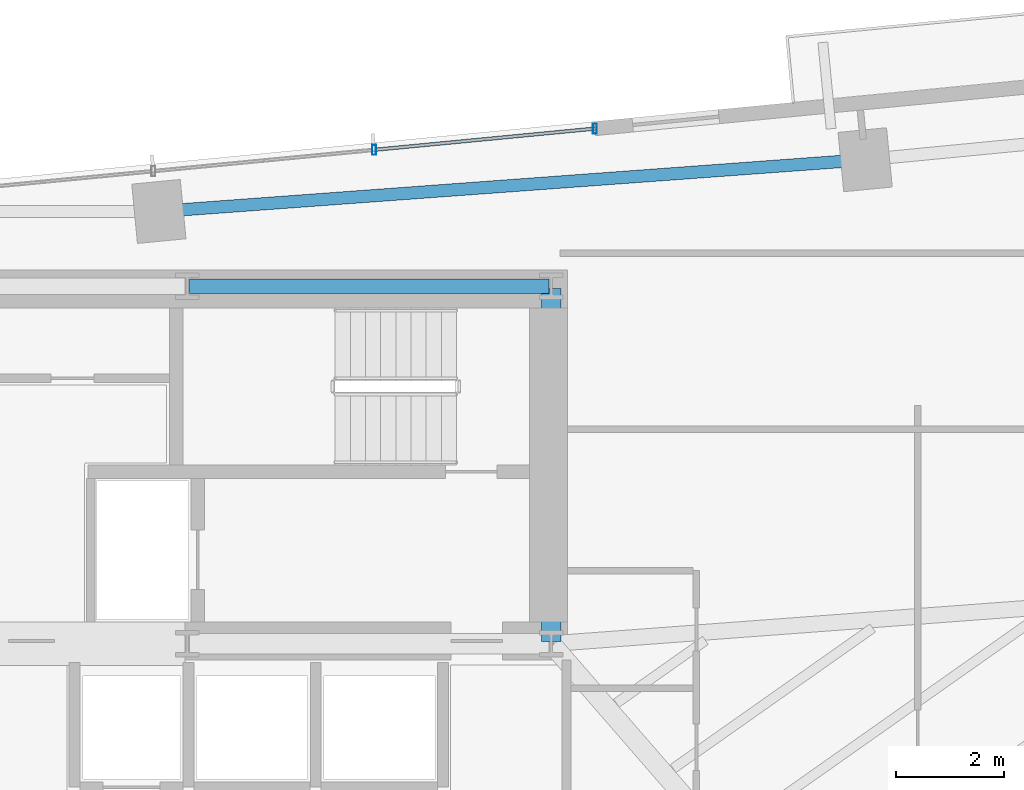
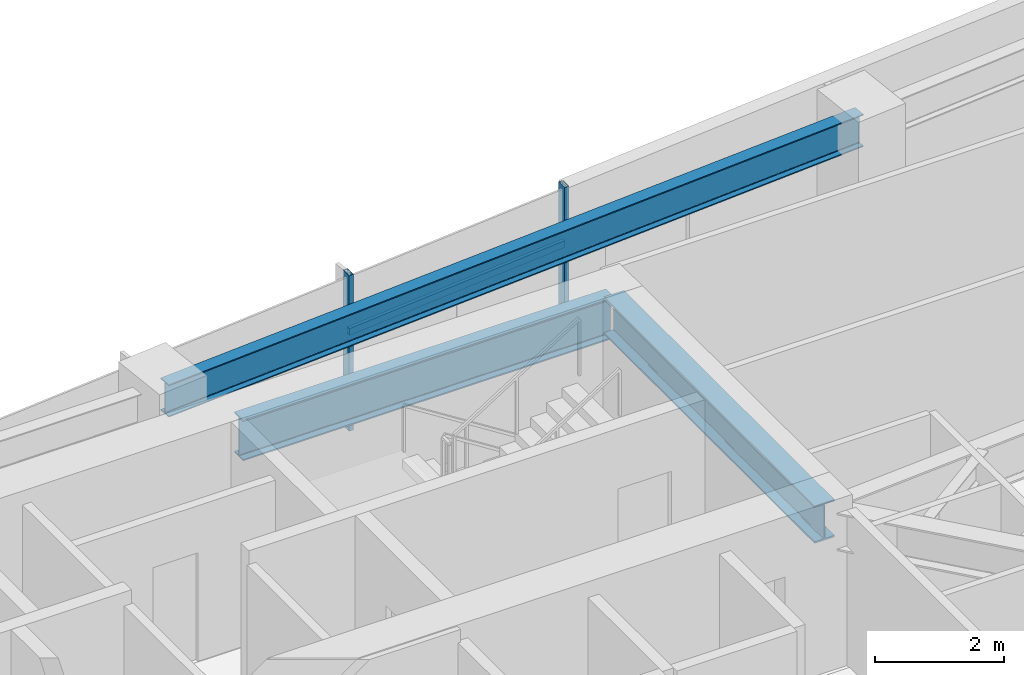
# One storey, part 15 of 25: 3 beams, 3 members, 1 element without a shape of its own.
"""IFC4 building model written with IfcOpenShell, lengths in metres."""

from ifc_helpers import new_model, si_unit, direction, frame, origin, origin_2d, place, context, subcontext, project, spatial, hollow_rectangle, i_section, extrude, source, transform, mapped, material, material_profile, profile_set, type_object, type_shapes, element, aggregate, save


model = new_model("IFC4")

# Units and contexts
model_context = context("Model", 3, precision=1e-05, world=origin(), true_north=direction((0.0, 1.0)))
body_context = subcontext(model_context, "Body", "Model", "MODEL_VIEW")
ifc_project = project(units=[si_unit("LENGTHUNIT", "METRE"), si_unit("AREAUNIT", "SQUARE_METRE"), si_unit("VOLUMEUNIT", "CUBIC_METRE"), si_unit("PLANEANGLEUNIT", "RADIAN"), si_unit("MASSUNIT", "GRAM", prefix="KILO")], contexts=[model_context])

# Site, building, storey
site_placement = place(None, origin())
site = spatial("IfcSite", under=ifc_project, at=site_placement, CompositionType="ELEMENT")
building_placement = place(site_placement, origin())
building = spatial("IfcBuilding", under=site, at=building_placement, Name="Astriad Promenade Condominiums", CompositionType="ELEMENT")
storey_placement = place(building_placement, frame((0.0, 0.0, 103.39990234375)))
storey = spatial("IfcBuildingStorey", under=building, at=storey_placement, Name="L29", CompositionType="ELEMENT", Elevation=103.39990234375)

# Beams
ifc_material_1 = material(Name="Steel ASTM A992 Grade 50", Category="steel")
ifc_material_profile_1 = material_profile(ifc_material_1, i_section(OverallWidth=0.267822265625, OverallDepth=0.76953125, WebThickness=0.015625, FlangeThickness=0.025390625, FilletRadius=0.021484375, at=origin_2d()), Name="W30X132")
ifc_profile_set_1 = profile_set([ifc_material_profile_1], Name="Steel ASTM A992 Grade 50")
beam_type_1 = type_object("IfcBeamType", Name="STEEL FLOOR GIRDER W30X132", PredefinedType="BEAM", material=ifc_profile_set_1)
shared_shape_1 = source(origin(), body_context, "Body", "SweptSolid", [
    extrude(i_section(OverallWidth=0.267822265625, OverallDepth=0.76953125, WebThickness=0.015625, FlangeThickness=0.025390625, FilletRadius=0.021484375, at=origin_2d()), origin(), (0.0, 0.0, 1.0), 6.64013671875),
])
type_shapes(beam_type_1, [shared_shape_1])
beam_1_placement = place(storey_placement, frame((38.919921875, 24.0, 2.55517578125), z_axis=(1.0, 0.0, 0.0), x_axis=(0.0, 1.0, 0.0)))
element("IfcBeam", 1, at=beam_1_placement, inside=storey, type_object=beam_type_1, Name="Core Ring Beam CG-N3-L29", PredefinedType="BEAM", context=body_context, shape_type="MappedRepresentation", body=[
    mapped(shared_shape_1, transform((0.0, 0.0, 0.0), scale=1.0)),
])
ifc_material_profile_2 = material_profile(ifc_material_1, i_section(OverallWidth=0.35791015625, OverallDepth=0.706298828125, WebThickness=0.018310546875, FlangeThickness=0.0302734375, FilletRadius=0.020263671875, at=origin_2d()), Name="W27X178")
ifc_profile_set_2 = profile_set([ifc_material_profile_2], Name="Steel ASTM A992 Grade 50")
beam_type_2 = type_object("IfcBeamType", Name="STEEL FLOOR GIRDER W27X178", PredefinedType="BEAM", material=ifc_profile_set_2)
shared_shape_2 = source(origin(), body_context, "Body", "SweptSolid", [
    extrude(i_section(OverallWidth=0.35791015625, OverallDepth=0.706298828125, WebThickness=0.018310546875, FlangeThickness=0.0302734375, FilletRadius=0.020263671875, at=origin_2d()), origin(), (0.0, 0.0, 1.0), 6.52001953125),
])
type_shapes(beam_type_2, [shared_shape_2])
beam_2_placement = place(storey_placement, frame((45.60009765625, 17.43994140625, 2.5869140625), z_axis=(0.0, 1.0, 0.0), x_axis=(-1.0, 0.0, 0.0)))
element("IfcBeam", 2, at=beam_2_placement, inside=storey, type_object=beam_type_2, Name="Core Ring Beam CG-E1-L29", PredefinedType="BEAM", context=body_context, shape_type="MappedRepresentation", body=[
    mapped(shared_shape_2, transform((0.0, 0.0, 0.0), scale=1.0)),
])
ifc_material_profile_3 = material_profile(ifc_material_1, i_section(OverallWidth=0.22900390625, OverallDepth=0.612060546875, WebThickness=0.011962890625, FlangeThickness=0.01953125, FilletRadius=0.017822265625, at=origin_2d()), Name="W24X84")
ifc_profile_set_3 = profile_set([ifc_material_profile_3], Name="Steel ASTM A992 Grade 50")
beam_type_3 = type_object("IfcBeamType", Name="STEEL SPANDREL BEAM W24X84", PredefinedType="SPANDREL", material=ifc_profile_set_3)
shared_shape_3 = source(origin(), body_context, "Body", "SweptSolid", [
    extrude(i_section(OverallWidth=0.22900390625, OverallDepth=0.612060546875, WebThickness=0.011962890625, FlangeThickness=0.01953125, FilletRadius=0.017822265625, at=origin_2d()), origin(), (0.0, 0.0, 1.0), 12.99462890625),
])
type_shapes(beam_type_3, [shared_shape_3])
beam_3_placement = place(storey_placement, frame((51.3544921875, 26.33203125, 2.634033203125), z_axis=(-0.997328518297, -0.073046742505, 0.0), x_axis=(0.073046742505, -0.997328518297, 0.0)))
element("IfcBeam", 3, at=beam_3_placement, inside=storey, type_object=beam_type_3, Name="Perimeter Spandrel Beam SP-N3-L29", PredefinedType="SPANDREL", context=body_context, shape_type="MappedRepresentation", body=[
    mapped(shared_shape_3, transform((0.0, 0.0, 0.0), scale=1.0)),
])

# Curtain wall, members
ifc_material_2 = material(Name="Anodised aluminium Black Dark Glass Unitised", Category="aluminium")
curtain_wall_type = type_object("IfcCurtainWallType", Name="CW-B2-DARK", PredefinedType="USERDEFINED", material=ifc_material_2)
curtain_wall_placement = place(storey_placement, origin())
curtain_wall = element("IfcCurtainWall", 4, at=curtain_wall_placement, inside=storey, type_object=curtain_wall_type, Name="CW-L29-N", ObjectType="UNITISED_CURTAIN_WALL", PredefinedType="USERDEFINED")
ifc_material_3 = material(Name="Anodised aluminium 6063-T6 Black", Category="aluminium")
ifc_material_profile_4 = material_profile(ifc_material_3, hollow_rectangle(XDim=0.074951171875, YDim=0.18505859375, WallThickness=0.00439453125, at=origin_2d()), Name="ALU-MUL-75X185")
ifc_profile_set_4 = profile_set([ifc_material_profile_4], Name="Anodised aluminium 6063-T6 Black")
member_type_1 = type_object("IfcMemberType", Name="MUL-ALU-MUL-75X185", PredefinedType="MULLION", material=ifc_profile_set_4)
shared_shape_4 = source(origin(), body_context, "Body", "SweptSolid", [
    extrude(hollow_rectangle(XDim=0.074951171875, YDim=0.18505859375, WallThickness=0.00439453125, at=origin_2d()), origin(), (0.0, 0.0, 1.0), 2.940185546875),
])
type_shapes(member_type_1, [shared_shape_4])
member_1_placement = place(storey_placement, frame((42.330078125, 26.51708984375, 0.0), z_axis=(0.0, 0.0, 1.0), x_axis=(1.0, 0.0, 0.0)))
member_1 = element("IfcMember", 5, at=member_1_placement, type_object=member_type_1, Name="CW-L29-N-MUL-03", PredefinedType="MULLION", context=body_context, shape_type="MappedRepresentation", body=[
    mapped(shared_shape_4, transform((0.0, 0.0, 0.0), scale=1.0)),
])
member_2_placement = place(storey_placement, frame((46.40625, 26.90966796875, 0.0), z_axis=(0.0, 0.0, 1.0), x_axis=(1.0, 0.0, 0.0)))
member_2 = element("IfcMember", 6, at=member_2_placement, type_object=member_type_1, Name="CW-L29-N-MUL-04", PredefinedType="MULLION", context=body_context, shape_type="MappedRepresentation", body=[
    mapped(shared_shape_4, transform((0.0, 0.0, 0.0), scale=1.0)),
])
ifc_material_profile_5 = material_profile(ifc_material_3, hollow_rectangle(XDim=0.06494140625, YDim=0.1298828125, WallThickness=0.00390625, at=origin_2d()), Name="ALU-TRN-65X130")
ifc_profile_set_5 = profile_set([ifc_material_profile_5], Name="Anodised aluminium 6063-T6 Black")
member_type_2 = type_object("IfcMemberType", Name="TRN-ALU-TRN-65X130", PredefinedType="USERDEFINED", material=ifc_profile_set_5)
shared_shape_5 = source(origin(), body_context, "Body", "SweptSolid", [
    extrude(hollow_rectangle(XDim=0.06494140625, YDim=0.1298828125, WallThickness=0.00390625, at=origin_2d()), origin(), (0.0, 0.0, 1.0), 4.094970703125),
])
type_shapes(member_type_2, [shared_shape_5])
member_3_placement = place(storey_placement, frame((42.330078125, 26.51708984375, 1.822998046875), z_axis=(0.995394161585, 0.09586690296, 0.0), x_axis=(-0.09586690296, 0.995394161585, 0.0)))
member_3 = element("IfcMember", 7, at=member_3_placement, type_object=member_type_2, Name="CW-L29-N-TRN-03-0", ObjectType="TRANSOM", PredefinedType="USERDEFINED", context=body_context, shape_type="MappedRepresentation", body=[
    mapped(shared_shape_5, transform((0.0, 0.0, 0.0), scale=1.0)),
])
aggregate(curtain_wall, [member_1, member_2, member_3])

save(model, "model.ifc")
